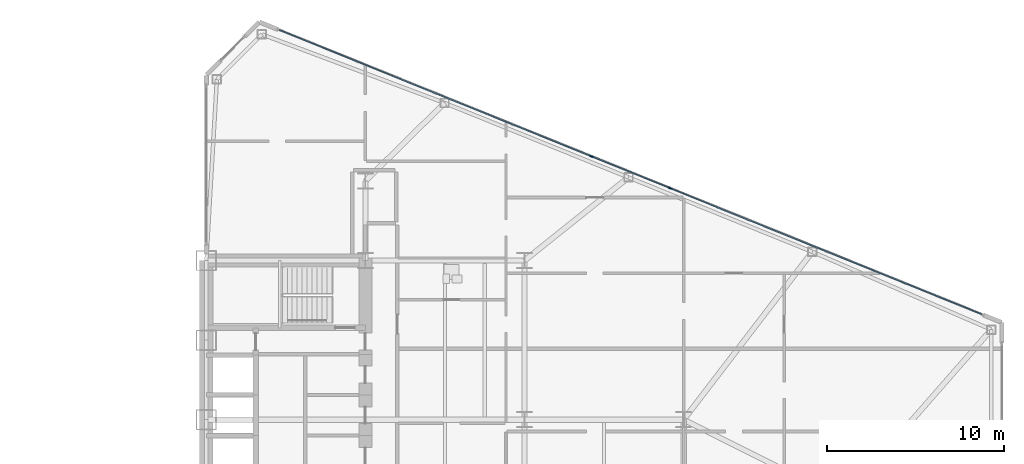
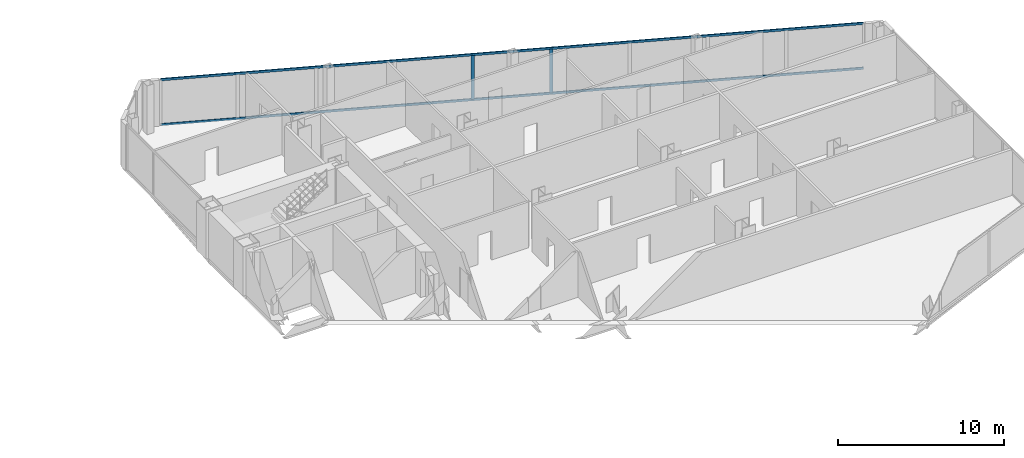
# One storey, part 12 of 25: 4 members, 1 element without a shape of its own.
"""IFC4 building model written with IfcOpenShell, lengths in metres."""

from ifc_helpers import new_model, si_unit, direction, frame, origin, origin_2d, place, context, subcontext, project, spatial, rectangle, extrude, source, transform, mapped, material, layer, layer_set, material_profile, profile_set, type_object, type_shapes, element, aggregate, save


model = new_model("IFC4")

# Units and contexts
model_context = context("Model", 3, precision=1e-05, world=origin(), true_north=direction((0.0, 1.0)))
body_context = subcontext(model_context, "Body", "Model", "MODEL_VIEW")
ifc_project = project(units=[si_unit("LENGTHUNIT", "METRE"), si_unit("AREAUNIT", "SQUARE_METRE"), si_unit("VOLUMEUNIT", "CUBIC_METRE"), si_unit("PLANEANGLEUNIT", "RADIAN"), si_unit("MASSUNIT", "GRAM", prefix="KILO")], contexts=[model_context])

# Site, building, storey
site_placement = place(None, origin())
site = spatial("IfcSite", under=ifc_project, at=site_placement, CompositionType="ELEMENT")
building_placement = place(site_placement, origin())
building = spatial("IfcBuilding", under=site, at=building_placement, Name="Seokmaru Belvedere", CompositionType="ELEMENT")
storey_placement = place(building_placement, frame((0.0, 0.0, 58.5)))
storey = spatial("IfcBuildingStorey", under=building, at=storey_placement, Name="L15", CompositionType="ELEMENT", Elevation=58.5)

# Curtain wall, members
ifc_material_1 = material(Name="Bronze Triple Insulating Glass", Category="glass")
ifc_layer = layer(ifc_material_1, 0.2099609375)
ifc_layer_set = layer_set([ifc_layer], Name="Bronze Triple Insulating Glass")
curtain_wall_type = type_object("IfcCurtainWallType", Name="Low-Rise Faceted Crystal Curtain Wall System CW-2", PredefinedType="NOTDEFINED", material=ifc_layer_set)
curtain_wall_placement = place(storey_placement, origin())
curtain_wall = element("IfcCurtainWall", 1, at=curtain_wall_placement, inside=storey, type_object=curtain_wall_type, Name="L15 Curtain Wall EF3", PredefinedType="NOTDEFINED")
ifc_material_2 = material(Name="Anodised Bronze Aluminium", Category="aluminium")
ifc_material_profile_1 = material_profile(ifc_material_2, rectangle(XDim=0.074951171875, YDim=0.2099609375, at=origin_2d()), Name="CW-M-75x210")
ifc_profile_set_1 = profile_set([ifc_material_profile_1], Name="Anodised Bronze Aluminium")
member_type_1 = type_object("IfcMemberType", Name="Bronze Unitised Mullion 75x210", PredefinedType="MULLION", material=ifc_profile_set_1)
shared_shape_1 = source(origin(), body_context, "Body", "SweptSolid", [
    extrude(rectangle(XDim=0.074951171875, YDim=0.2099609375, at=origin_2d()), origin(), (0.0, 0.0, 1.0), 3.239990234375),
])
type_shapes(member_type_1, [shared_shape_1])
member_1_placement = place(storey_placement, frame((53.71484375, 17.603515625, 0.070068359375), z_axis=(0.0, 0.0, 1.0), x_axis=(-0.375192321888, -0.926946989637, 0.0)))
member_1 = element("IfcMember", 2, at=member_1_placement, type_object=member_type_1, Name="CW:L15:EF3 Mullion 5", PredefinedType="MULLION", context=body_context, shape_type="MappedRepresentation", body=[
    mapped(shared_shape_1, transform((0.0, 0.0, 0.0), scale=1.0)),
])
member_2_placement = place(storey_placement, frame((49.28515625, 19.396484375, 0.070068359375), z_axis=(0.0, 0.0, 1.0), x_axis=(-0.375192321888, -0.926946989637, 0.0)))
member_2 = element("IfcMember", 3, at=member_2_placement, type_object=member_type_1, Name="CW:L15:EF3 Mullion 6", PredefinedType="MULLION", context=body_context, shape_type="MappedRepresentation", body=[
    mapped(shared_shape_1, transform((0.0, 0.0, 0.0), scale=1.0)),
])
ifc_material_profile_2 = material_profile(ifc_material_2, rectangle(XDim=0.070068359375, YDim=0.1650390625, at=origin_2d()), Name="CW-T-70x165")
ifc_profile_set_2 = profile_set([ifc_material_profile_2], Name="Anodised Bronze Aluminium")
member_type_2 = type_object("IfcMemberType", Name="Bronze Unitised Transom 70x165", PredefinedType="USERDEFINED", material=ifc_profile_set_2)
shared_shape_2 = source(origin(), body_context, "Body", "SweptSolid", [
    extrude(rectangle(XDim=0.070068359375, YDim=0.1650390625, at=origin_2d()), origin(), (0.0, 0.0, 1.0), 42.860107421875),
])
type_shapes(member_type_2, [shared_shape_2])
member_3_placement = place(storey_placement, frame((71.364501953125, 10.459716796875, 0.034912109375), z_axis=(-0.926948605599, 0.375188329481, 0.0), x_axis=(-0.375188329481, -0.926948605599, 0.0)))
member_3 = element("IfcMember", 4, at=member_3_placement, type_object=member_type_2, Name="CW:L15:EF3 Continuous Transom 1", ObjectType="TRANSOM", PredefinedType="USERDEFINED", context=body_context, shape_type="MappedRepresentation", body=[
    mapped(shared_shape_2, transform((0.0, 0.0, 0.0), scale=1.0)),
])
member_4_placement = place(storey_placement, frame((71.364501953125, 10.459716796875, 3.344970703125), z_axis=(-0.926948605599, 0.375188329481, 0.0), x_axis=(-0.375188329481, -0.926948605599, 0.0)))
member_4 = element("IfcMember", 5, at=member_4_placement, type_object=member_type_2, Name="CW:L15:EF3 Continuous Transom 2", ObjectType="TRANSOM", PredefinedType="USERDEFINED", context=body_context, shape_type="MappedRepresentation", body=[
    mapped(shared_shape_2, transform((0.0, 0.0, 0.0), scale=1.0)),
])
aggregate(curtain_wall, [member_1, member_2, member_3, member_4])

save(model, "model.ifc")
